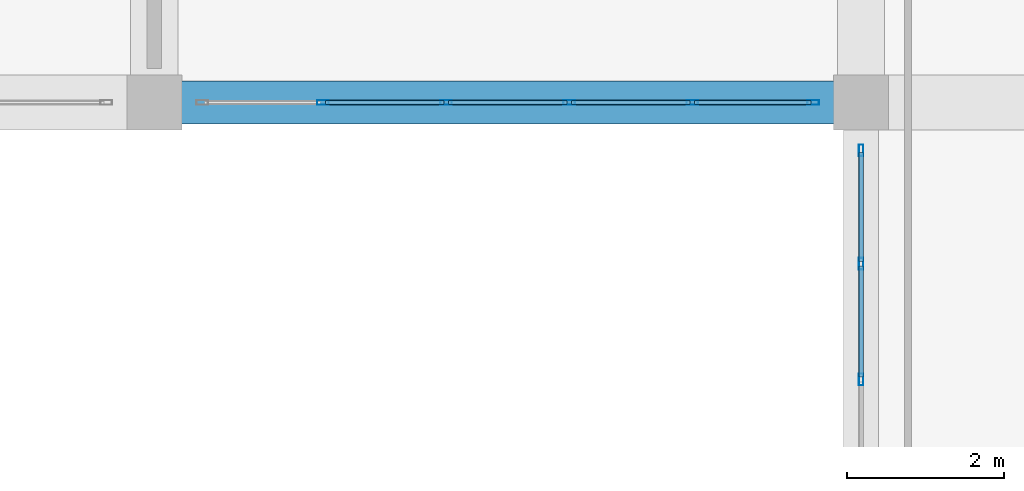
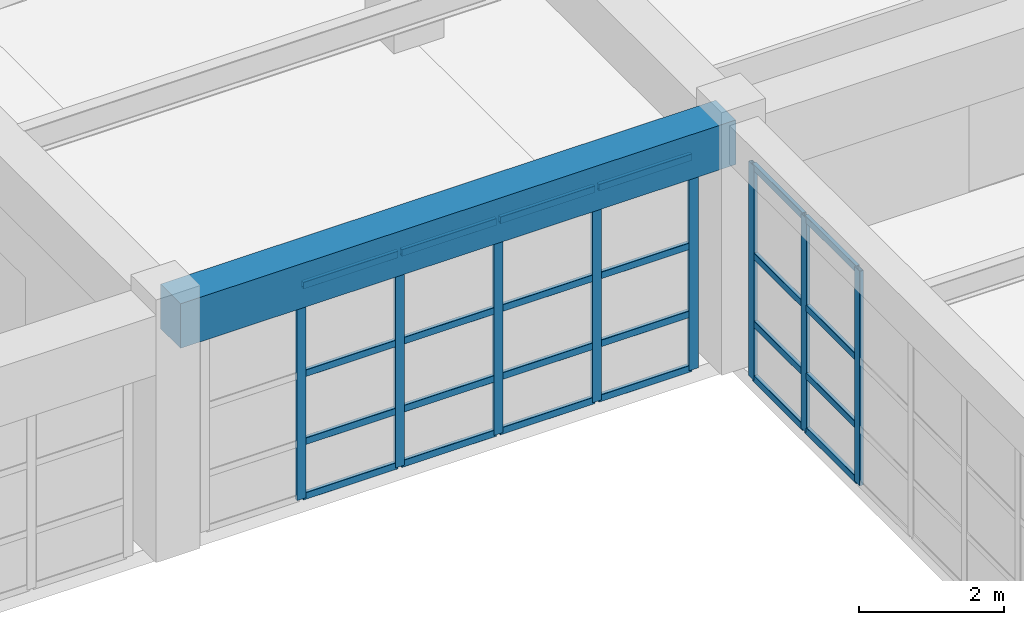
# One storey, part 37 of 133: 32 members, 1 beam, 2 elements without a shape of their own.
"""IFC4 building model written with IfcOpenShell, lengths in metres."""

from ifc_helpers import new_model, si_unit, direction, frame, origin, origin_2d, place, context, subcontext, project, spatial, rectangle, hollow_rectangle, extrude, material, material_profile, profile_set, type_object, element, aggregate, save


model = new_model("IFC4")

# Units and contexts
model_context = context("Model", 3, precision=1e-05, world=origin(), true_north=direction((0.0, 1.0)))
body_context = subcontext(model_context, "Body", "Model", "MODEL_VIEW")
ifc_project = project(units=[si_unit("LENGTHUNIT", "METRE"), si_unit("AREAUNIT", "SQUARE_METRE"), si_unit("VOLUMEUNIT", "CUBIC_METRE"), si_unit("PLANEANGLEUNIT", "RADIAN"), si_unit("MASSUNIT", "GRAM", prefix="KILO")], contexts=[model_context])

# Site, building, storey
site_placement = place(None, origin())
site = spatial("IfcSite", under=ifc_project, at=site_placement, CompositionType="ELEMENT")
building_placement = place(site_placement, origin())
building = spatial("IfcBuilding", under=site, at=building_placement, Name="Miravela Opera House", CompositionType="ELEMENT")
storey_placement = place(building_placement, frame((0.0, 0.0, 5.10009765625)))
storey = spatial("IfcBuildingStorey", under=building, at=storey_placement, Name="L01", CompositionType="ELEMENT", Elevation=5.10009765625)

# Curtain wall, members
ifc_material_1 = material(Name="Anodised architectural bronze aluminium 6063-T6", Category="aluminium")
curtain_wall_type = type_object("IfcCurtainWallType", Name="ARC-CW-06", PredefinedType="NOTDEFINED", material=ifc_material_1)
curtain_wall_1_placement = place(storey_placement, origin())
curtain_wall_1 = element("IfcCurtainWall", 1, at=curtain_wall_1_placement, inside=storey, type_object=curtain_wall_type, Name="Courtyard Arcade Curtain Wall CW-L01-130", PredefinedType="NOTDEFINED")
ifc_material_profile_1 = material_profile(ifc_material_1, hollow_rectangle(XDim=0.06005859375, YDim=0.14990234375, WallThickness=0.00390625, InnerFilletRadius=0.001953125, OuterFilletRadius=0.00390625, at=origin_2d()), Name="CWM-60X150")
ifc_profile_set_1 = profile_set([ifc_material_profile_1])
member_type_1 = type_object("IfcMemberType", Name="ARC-CWM-150", PredefinedType="MULLION", material=ifc_profile_set_1)
member_1_placement = place(storey_placement, frame((56.14794921875, 28.0, 0.0), z_axis=(0.0, 0.0, 1.0), x_axis=(0.0, 1.0, 0.0)))
member_1 = element("IfcMember", 2, at=member_1_placement, type_object=member_type_1, Name="CW-06 mullion 2", PredefinedType="MULLION", context=body_context, shape_type="SweptSolid", body=[
    extrude(hollow_rectangle(XDim=0.06005859375, YDim=0.14990234375, WallThickness=0.00390625, InnerFilletRadius=0.001953125, OuterFilletRadius=0.00390625, at=origin_2d()), origin(), (0.0, 0.0, 1.0), 3.60986328125),
])
member_2_placement = place(storey_placement, frame((57.716064453125, 28.0, 0.0), z_axis=(0.0, 0.0, 1.0), x_axis=(0.0, 1.0, 0.0)))
member_2 = element("IfcMember", 3, at=member_2_placement, type_object=member_type_1, Name="CW-06 mullion 3", PredefinedType="MULLION", context=body_context, shape_type="SweptSolid", body=[
    extrude(hollow_rectangle(XDim=0.06005859375, YDim=0.14990234375, WallThickness=0.00390625, InnerFilletRadius=0.001953125, OuterFilletRadius=0.00390625, at=origin_2d()), origin(), (0.0, 0.0, 1.0), 3.60986328125),
])
member_3_placement = place(storey_placement, frame((59.283935546875, 28.0, 0.0), z_axis=(0.0, 0.0, 1.0), x_axis=(0.0, 1.0, 0.0)))
member_3 = element("IfcMember", 4, at=member_3_placement, type_object=member_type_1, Name="CW-06 mullion 4", PredefinedType="MULLION", context=body_context, shape_type="SweptSolid", body=[
    extrude(hollow_rectangle(XDim=0.06005859375, YDim=0.14990234375, WallThickness=0.00390625, InnerFilletRadius=0.001953125, OuterFilletRadius=0.00390625, at=origin_2d()), origin(), (0.0, 0.0, 1.0), 3.60986328125),
])
member_4_placement = place(storey_placement, frame((60.85205078125, 28.0, 0.0), z_axis=(0.0, 0.0, 1.0), x_axis=(0.0, 1.0, 0.0)))
member_4 = element("IfcMember", 5, at=member_4_placement, type_object=member_type_1, Name="CW-06 mullion 5", PredefinedType="MULLION", context=body_context, shape_type="SweptSolid", body=[
    extrude(hollow_rectangle(XDim=0.06005859375, YDim=0.14990234375, WallThickness=0.00390625, InnerFilletRadius=0.001953125, OuterFilletRadius=0.00390625, at=origin_2d()), origin(), (0.0, 0.0, 1.0), 3.60986328125),
])
member_5_placement = place(storey_placement, frame((62.389892578125, 28.0, 0.0), z_axis=(0.0, 0.0, 1.0), x_axis=(0.0, 1.0, 0.0)))
member_5 = element("IfcMember", 6, at=member_5_placement, type_object=member_type_1, Name="CW-06 mullion 6", PredefinedType="MULLION", context=body_context, shape_type="SweptSolid", body=[
    extrude(hollow_rectangle(XDim=0.06005859375, YDim=0.14990234375, WallThickness=0.00390625, InnerFilletRadius=0.001953125, OuterFilletRadius=0.00390625, at=origin_2d()), origin(), (0.0, 0.0, 1.0), 3.60986328125),
])

curtain_wall_2_placement = place(storey_placement, origin())
curtain_wall_2 = element("IfcCurtainWall", 7, at=curtain_wall_2_placement, inside=storey, type_object=curtain_wall_type, Name="Courtyard Arcade Curtain Wall CW-L01-135", PredefinedType="NOTDEFINED")
member_6_placement = place(storey_placement, frame((63.0, 24.473388671875, 0.0), z_axis=(0.0, 0.0, 1.0), x_axis=(-1.0, 0.0, 0.0)))
member_6 = element("IfcMember", 8, at=member_6_placement, type_object=member_type_1, Name="CW-06 mullion 5", PredefinedType="MULLION", context=body_context, shape_type="SweptSolid", body=[
    extrude(hollow_rectangle(XDim=0.06005859375, YDim=0.14990234375, WallThickness=0.00390625, InnerFilletRadius=0.001953125, OuterFilletRadius=0.00390625, at=origin_2d()), origin(), (0.0, 0.0, 1.0), 3.60986328125),
])
member_7_placement = place(storey_placement, frame((63.0, 25.94677734375, 0.0), z_axis=(0.0, 0.0, 1.0), x_axis=(-1.0, 0.0, 0.0)))
member_7 = element("IfcMember", 9, at=member_7_placement, type_object=member_type_1, Name="CW-06 mullion 6", PredefinedType="MULLION", context=body_context, shape_type="SweptSolid", body=[
    extrude(hollow_rectangle(XDim=0.06005859375, YDim=0.14990234375, WallThickness=0.00390625, InnerFilletRadius=0.001953125, OuterFilletRadius=0.00390625, at=origin_2d()), origin(), (0.0, 0.0, 1.0), 3.60986328125),
])
member_8_placement = place(storey_placement, frame((63.0, 27.389892578125, 0.0), z_axis=(0.0, 0.0, 1.0), x_axis=(-1.0, 0.0, 0.0)))
member_8 = element("IfcMember", 10, at=member_8_placement, type_object=member_type_1, Name="CW-06 mullion 7", PredefinedType="MULLION", context=body_context, shape_type="SweptSolid", body=[
    extrude(hollow_rectangle(XDim=0.06005859375, YDim=0.14990234375, WallThickness=0.00390625, InnerFilletRadius=0.001953125, OuterFilletRadius=0.00390625, at=origin_2d()), origin(), (0.0, 0.0, 1.0), 3.60986328125),
])

# Member
ifc_material_profile_2 = material_profile(ifc_material_1, hollow_rectangle(XDim=0.06005859375, YDim=0.114990234375, WallThickness=0.00390625, InnerFilletRadius=0.001953125, OuterFilletRadius=0.00390625, at=origin_2d()), Name="CWT-60X115")
ifc_profile_set_2 = profile_set([ifc_material_profile_2])
member_type_2 = type_object("IfcMemberType", Name="ARC-CWT-115", PredefinedType="USERDEFINED", material=ifc_profile_set_2)
member_9_placement = place(storey_placement, frame((56.177978515625, 28.0, 0.02978515625), z_axis=(1.0, 0.0, 0.0), x_axis=(0.0, 1.0, 0.0)))
member_9 = element("IfcMember", 11, at=member_9_placement, type_object=member_type_2, Name="CW-06 transom 2.1", ObjectType="TRANSOM", PredefinedType="USERDEFINED", context=body_context, shape_type="SweptSolid", body=[
    extrude(hollow_rectangle(XDim=0.06005859375, YDim=0.114990234375, WallThickness=0.00390625, InnerFilletRadius=0.001953125, OuterFilletRadius=0.00390625, at=origin_2d()), origin(), (0.0, 0.0, 1.0), 1.508056640625),
])

member_10_placement = place(storey_placement, frame((56.177978515625, 28.0, 0.949951171875), z_axis=(1.0, 0.0, 0.0), x_axis=(0.0, 1.0, 0.0)))
member_10 = element("IfcMember", 12, at=member_10_placement, type_object=member_type_2, Name="CW-06 transom 2.2", ObjectType="TRANSOM", PredefinedType="USERDEFINED", context=body_context, shape_type="SweptSolid", body=[
    extrude(hollow_rectangle(XDim=0.06005859375, YDim=0.114990234375, WallThickness=0.00390625, InnerFilletRadius=0.001953125, OuterFilletRadius=0.00390625, at=origin_2d()), origin(), (0.0, 0.0, 1.0), 1.508056640625),
])

member_11_placement = place(storey_placement, frame((56.177978515625, 28.0, 2.09375), z_axis=(1.0, 0.0, 0.0), x_axis=(0.0, 1.0, 0.0)))
member_11 = element("IfcMember", 13, at=member_11_placement, type_object=member_type_2, Name="CW-06 transom 2.3", ObjectType="TRANSOM", PredefinedType="USERDEFINED", context=body_context, shape_type="SweptSolid", body=[
    extrude(hollow_rectangle(XDim=0.06005859375, YDim=0.114990234375, WallThickness=0.00390625, InnerFilletRadius=0.001953125, OuterFilletRadius=0.00390625, at=origin_2d()), origin(), (0.0, 0.0, 1.0), 1.508056640625),
])

member_12_placement = place(storey_placement, frame((56.177978515625, 28.0, 3.579833984375), z_axis=(1.0, 0.0, 0.0), x_axis=(0.0, 1.0, 0.0)))
member_12 = element("IfcMember", 14, at=member_12_placement, type_object=member_type_2, Name="CW-06 transom 2.4", ObjectType="TRANSOM", PredefinedType="USERDEFINED", context=body_context, shape_type="SweptSolid", body=[
    extrude(hollow_rectangle(XDim=0.06005859375, YDim=0.114990234375, WallThickness=0.00390625, InnerFilletRadius=0.001953125, OuterFilletRadius=0.00390625, at=origin_2d()), origin(), (0.0, 0.0, 1.0), 1.508056640625),
])

member_13_placement = place(storey_placement, frame((57.74609375, 28.0, 0.02978515625), z_axis=(1.0, 0.0, 0.0), x_axis=(0.0, 1.0, 0.0)))
member_13 = element("IfcMember", 15, at=member_13_placement, type_object=member_type_2, Name="CW-06 transom 3.1", ObjectType="TRANSOM", PredefinedType="USERDEFINED", context=body_context, shape_type="SweptSolid", body=[
    extrude(hollow_rectangle(XDim=0.06005859375, YDim=0.114990234375, WallThickness=0.00390625, InnerFilletRadius=0.001953125, OuterFilletRadius=0.00390625, at=origin_2d()), origin(), (0.0, 0.0, 1.0), 1.5078125),
])

member_14_placement = place(storey_placement, frame((57.74609375, 28.0, 0.949951171875), z_axis=(1.0, 0.0, 0.0), x_axis=(0.0, 1.0, 0.0)))
member_14 = element("IfcMember", 16, at=member_14_placement, type_object=member_type_2, Name="CW-06 transom 3.2", ObjectType="TRANSOM", PredefinedType="USERDEFINED", context=body_context, shape_type="SweptSolid", body=[
    extrude(hollow_rectangle(XDim=0.06005859375, YDim=0.114990234375, WallThickness=0.00390625, InnerFilletRadius=0.001953125, OuterFilletRadius=0.00390625, at=origin_2d()), origin(), (0.0, 0.0, 1.0), 1.5078125),
])

member_15_placement = place(storey_placement, frame((57.74609375, 28.0, 2.09375), z_axis=(1.0, 0.0, 0.0), x_axis=(0.0, 1.0, 0.0)))
member_15 = element("IfcMember", 17, at=member_15_placement, type_object=member_type_2, Name="CW-06 transom 3.3", ObjectType="TRANSOM", PredefinedType="USERDEFINED", context=body_context, shape_type="SweptSolid", body=[
    extrude(hollow_rectangle(XDim=0.06005859375, YDim=0.114990234375, WallThickness=0.00390625, InnerFilletRadius=0.001953125, OuterFilletRadius=0.00390625, at=origin_2d()), origin(), (0.0, 0.0, 1.0), 1.5078125),
])

member_16_placement = place(storey_placement, frame((57.74609375, 28.0, 3.579833984375), z_axis=(1.0, 0.0, 0.0), x_axis=(0.0, 1.0, 0.0)))
member_16 = element("IfcMember", 18, at=member_16_placement, type_object=member_type_2, Name="CW-06 transom 3.4", ObjectType="TRANSOM", PredefinedType="USERDEFINED", context=body_context, shape_type="SweptSolid", body=[
    extrude(hollow_rectangle(XDim=0.06005859375, YDim=0.114990234375, WallThickness=0.00390625, InnerFilletRadius=0.001953125, OuterFilletRadius=0.00390625, at=origin_2d()), origin(), (0.0, 0.0, 1.0), 1.5078125),
])

member_17_placement = place(storey_placement, frame((59.31396484375, 28.0, 0.02978515625), z_axis=(1.0, 0.0, 0.0), x_axis=(0.0, 1.0, 0.0)))
member_17 = element("IfcMember", 19, at=member_17_placement, type_object=member_type_2, Name="CW-06 transom 4.1", ObjectType="TRANSOM", PredefinedType="USERDEFINED", context=body_context, shape_type="SweptSolid", body=[
    extrude(hollow_rectangle(XDim=0.06005859375, YDim=0.114990234375, WallThickness=0.00390625, InnerFilletRadius=0.001953125, OuterFilletRadius=0.00390625, at=origin_2d()), origin(), (0.0, 0.0, 1.0), 1.508056640625),
])

member_18_placement = place(storey_placement, frame((59.31396484375, 28.0, 0.949951171875), z_axis=(1.0, 0.0, 0.0), x_axis=(0.0, 1.0, 0.0)))
member_18 = element("IfcMember", 20, at=member_18_placement, type_object=member_type_2, Name="CW-06 transom 4.2", ObjectType="TRANSOM", PredefinedType="USERDEFINED", context=body_context, shape_type="SweptSolid", body=[
    extrude(hollow_rectangle(XDim=0.06005859375, YDim=0.114990234375, WallThickness=0.00390625, InnerFilletRadius=0.001953125, OuterFilletRadius=0.00390625, at=origin_2d()), origin(), (0.0, 0.0, 1.0), 1.508056640625),
])

member_19_placement = place(storey_placement, frame((59.31396484375, 28.0, 2.09375), z_axis=(1.0, 0.0, 0.0), x_axis=(0.0, 1.0, 0.0)))
member_19 = element("IfcMember", 21, at=member_19_placement, type_object=member_type_2, Name="CW-06 transom 4.3", ObjectType="TRANSOM", PredefinedType="USERDEFINED", context=body_context, shape_type="SweptSolid", body=[
    extrude(hollow_rectangle(XDim=0.06005859375, YDim=0.114990234375, WallThickness=0.00390625, InnerFilletRadius=0.001953125, OuterFilletRadius=0.00390625, at=origin_2d()), origin(), (0.0, 0.0, 1.0), 1.508056640625),
])

member_20_placement = place(storey_placement, frame((59.31396484375, 28.0, 3.579833984375), z_axis=(1.0, 0.0, 0.0), x_axis=(0.0, 1.0, 0.0)))
member_20 = element("IfcMember", 22, at=member_20_placement, type_object=member_type_2, Name="CW-06 transom 4.4", ObjectType="TRANSOM", PredefinedType="USERDEFINED", context=body_context, shape_type="SweptSolid", body=[
    extrude(hollow_rectangle(XDim=0.06005859375, YDim=0.114990234375, WallThickness=0.00390625, InnerFilletRadius=0.001953125, OuterFilletRadius=0.00390625, at=origin_2d()), origin(), (0.0, 0.0, 1.0), 1.508056640625),
])

member_21_placement = place(storey_placement, frame((60.882080078125, 28.0, 0.02978515625), z_axis=(1.0, 0.0, 0.0), x_axis=(0.0, 1.0, 0.0)))
member_21 = element("IfcMember", 23, at=member_21_placement, type_object=member_type_2, Name="CW-06 transom 5.1", ObjectType="TRANSOM", PredefinedType="USERDEFINED", context=body_context, shape_type="SweptSolid", body=[
    extrude(hollow_rectangle(XDim=0.06005859375, YDim=0.114990234375, WallThickness=0.00390625, InnerFilletRadius=0.001953125, OuterFilletRadius=0.00390625, at=origin_2d()), origin(), (0.0, 0.0, 1.0), 1.47802734375),
])

member_22_placement = place(storey_placement, frame((60.882080078125, 28.0, 0.949951171875), z_axis=(1.0, 0.0, 0.0), x_axis=(0.0, 1.0, 0.0)))
member_22 = element("IfcMember", 24, at=member_22_placement, type_object=member_type_2, Name="CW-06 transom 5.2", ObjectType="TRANSOM", PredefinedType="USERDEFINED", context=body_context, shape_type="SweptSolid", body=[
    extrude(hollow_rectangle(XDim=0.06005859375, YDim=0.114990234375, WallThickness=0.00390625, InnerFilletRadius=0.001953125, OuterFilletRadius=0.00390625, at=origin_2d()), origin(), (0.0, 0.0, 1.0), 1.47802734375),
])

member_23_placement = place(storey_placement, frame((60.882080078125, 28.0, 2.09375), z_axis=(1.0, 0.0, 0.0), x_axis=(0.0, 1.0, 0.0)))
member_23 = element("IfcMember", 25, at=member_23_placement, type_object=member_type_2, Name="CW-06 transom 5.3", ObjectType="TRANSOM", PredefinedType="USERDEFINED", context=body_context, shape_type="SweptSolid", body=[
    extrude(hollow_rectangle(XDim=0.06005859375, YDim=0.114990234375, WallThickness=0.00390625, InnerFilletRadius=0.001953125, OuterFilletRadius=0.00390625, at=origin_2d()), origin(), (0.0, 0.0, 1.0), 1.47802734375),
])

member_24_placement = place(storey_placement, frame((60.882080078125, 28.0, 3.579833984375), z_axis=(1.0, 0.0, 0.0), x_axis=(0.0, 1.0, 0.0)))
member_24 = element("IfcMember", 26, at=member_24_placement, type_object=member_type_2, Name="CW-06 transom 5.4", ObjectType="TRANSOM", PredefinedType="USERDEFINED", context=body_context, shape_type="SweptSolid", body=[
    extrude(hollow_rectangle(XDim=0.06005859375, YDim=0.114990234375, WallThickness=0.00390625, InnerFilletRadius=0.001953125, OuterFilletRadius=0.00390625, at=origin_2d()), origin(), (0.0, 0.0, 1.0), 1.47802734375),
])

aggregate(curtain_wall_1, [member_1, member_2, member_3, member_4, member_5, member_9, member_10, member_11, member_12, member_13, member_14, member_15, member_16, member_17, member_18, member_19, member_20, member_21, member_22, member_23, member_24])

member_25_placement = place(storey_placement, frame((63.0, 24.50341796875, 0.02978515625), z_axis=(0.0, 1.0, 0.0), x_axis=(-1.0, 0.0, 0.0)))
member_25 = element("IfcMember", 27, at=member_25_placement, type_object=member_type_2, Name="CW-06 transom 5.1", ObjectType="TRANSOM", PredefinedType="USERDEFINED", context=body_context, shape_type="SweptSolid", body=[
    extrude(hollow_rectangle(XDim=0.06005859375, YDim=0.114990234375, WallThickness=0.00390625, InnerFilletRadius=0.001953125, OuterFilletRadius=0.00390625, at=origin_2d()), origin(), (0.0, 0.0, 1.0), 1.413330078125),
])

member_26_placement = place(storey_placement, frame((63.0, 24.50341796875, 0.949951171875), z_axis=(0.0, 1.0, 0.0), x_axis=(-1.0, 0.0, 0.0)))
member_26 = element("IfcMember", 28, at=member_26_placement, type_object=member_type_2, Name="CW-06 transom 5.2", ObjectType="TRANSOM", PredefinedType="USERDEFINED", context=body_context, shape_type="SweptSolid", body=[
    extrude(hollow_rectangle(XDim=0.06005859375, YDim=0.114990234375, WallThickness=0.00390625, InnerFilletRadius=0.001953125, OuterFilletRadius=0.00390625, at=origin_2d()), origin(), (0.0, 0.0, 1.0), 1.413330078125),
])

member_27_placement = place(storey_placement, frame((63.0, 24.50341796875, 2.09375), z_axis=(0.0, 1.0, 0.0), x_axis=(-1.0, 0.0, 0.0)))
member_27 = element("IfcMember", 29, at=member_27_placement, type_object=member_type_2, Name="CW-06 transom 5.3", ObjectType="TRANSOM", PredefinedType="USERDEFINED", context=body_context, shape_type="SweptSolid", body=[
    extrude(hollow_rectangle(XDim=0.06005859375, YDim=0.114990234375, WallThickness=0.00390625, InnerFilletRadius=0.001953125, OuterFilletRadius=0.00390625, at=origin_2d()), origin(), (0.0, 0.0, 1.0), 1.413330078125),
])

member_28_placement = place(storey_placement, frame((63.0, 24.50341796875, 3.579833984375), z_axis=(0.0, 1.0, 0.0), x_axis=(-1.0, 0.0, 0.0)))
member_28 = element("IfcMember", 30, at=member_28_placement, type_object=member_type_2, Name="CW-06 transom 5.4", ObjectType="TRANSOM", PredefinedType="USERDEFINED", context=body_context, shape_type="SweptSolid", body=[
    extrude(hollow_rectangle(XDim=0.06005859375, YDim=0.114990234375, WallThickness=0.00390625, InnerFilletRadius=0.001953125, OuterFilletRadius=0.00390625, at=origin_2d()), origin(), (0.0, 0.0, 1.0), 1.413330078125),
])

member_29_placement = place(storey_placement, frame((63.0, 25.9765625, 0.02978515625), z_axis=(0.0, 1.0, 0.0), x_axis=(-1.0, 0.0, 0.0)))
member_29 = element("IfcMember", 31, at=member_29_placement, type_object=member_type_2, Name="CW-06 transom 6.1", ObjectType="TRANSOM", PredefinedType="USERDEFINED", context=body_context, shape_type="SweptSolid", body=[
    extrude(hollow_rectangle(XDim=0.06005859375, YDim=0.114990234375, WallThickness=0.00390625, InnerFilletRadius=0.001953125, OuterFilletRadius=0.00390625, at=origin_2d()), origin(), (0.0, 0.0, 1.0), 1.383544921875),
])

member_30_placement = place(storey_placement, frame((63.0, 25.9765625, 0.949951171875), z_axis=(0.0, 1.0, 0.0), x_axis=(-1.0, 0.0, 0.0)))
member_30 = element("IfcMember", 32, at=member_30_placement, type_object=member_type_2, Name="CW-06 transom 6.2", ObjectType="TRANSOM", PredefinedType="USERDEFINED", context=body_context, shape_type="SweptSolid", body=[
    extrude(hollow_rectangle(XDim=0.06005859375, YDim=0.114990234375, WallThickness=0.00390625, InnerFilletRadius=0.001953125, OuterFilletRadius=0.00390625, at=origin_2d()), origin(), (0.0, 0.0, 1.0), 1.383544921875),
])

member_31_placement = place(storey_placement, frame((63.0, 25.9765625, 2.09375), z_axis=(0.0, 1.0, 0.0), x_axis=(-1.0, 0.0, 0.0)))
member_31 = element("IfcMember", 33, at=member_31_placement, type_object=member_type_2, Name="CW-06 transom 6.3", ObjectType="TRANSOM", PredefinedType="USERDEFINED", context=body_context, shape_type="SweptSolid", body=[
    extrude(hollow_rectangle(XDim=0.06005859375, YDim=0.114990234375, WallThickness=0.00390625, InnerFilletRadius=0.001953125, OuterFilletRadius=0.00390625, at=origin_2d()), origin(), (0.0, 0.0, 1.0), 1.383544921875),
])

member_32_placement = place(storey_placement, frame((63.0, 25.9765625, 3.579833984375), z_axis=(0.0, 1.0, 0.0), x_axis=(-1.0, 0.0, 0.0)))
member_32 = element("IfcMember", 34, at=member_32_placement, type_object=member_type_2, Name="CW-06 transom 6.4", ObjectType="TRANSOM", PredefinedType="USERDEFINED", context=body_context, shape_type="SweptSolid", body=[
    extrude(hollow_rectangle(XDim=0.06005859375, YDim=0.114990234375, WallThickness=0.00390625, InnerFilletRadius=0.001953125, OuterFilletRadius=0.00390625, at=origin_2d()), origin(), (0.0, 0.0, 1.0), 1.383544921875),
])

aggregate(curtain_wall_2, [member_6, member_7, member_8, member_25, member_26, member_27, member_28, member_29, member_30, member_31, member_32])

# Beam
ifc_material_2 = material(Name="Concrete C35/45", Category="concrete")
ifc_material_profile_3 = material_profile(ifc_material_2, rectangle(XDim=0.550048828125, YDim=0.75, at=origin_2d()), Name="RC-BM-550X750")
ifc_profile_set_3 = profile_set([ifc_material_profile_3])
beam_type = type_object("IfcBeamType", Name="STR-BM-RC550X750", PredefinedType="BEAM", material=ifc_profile_set_3)
beam_placement = place(storey_placement, frame((54.080078125, 28.0, 3.784912109375), z_axis=(1.0, 0.0, 0.0), x_axis=(0.0, 1.0, 0.0)))
element("IfcBeam", 35, at=beam_placement, inside=storey, type_object=beam_type, Name="Floor Girder L01 7-8/D", PredefinedType="BEAM", context=body_context, shape_type="SweptSolid", body=[
    extrude(rectangle(XDim=0.550048828125, YDim=0.75, at=origin_2d()), origin(), (0.0, 0.0, 1.0), 8.83984375),
])

save(model, "model.ifc")
